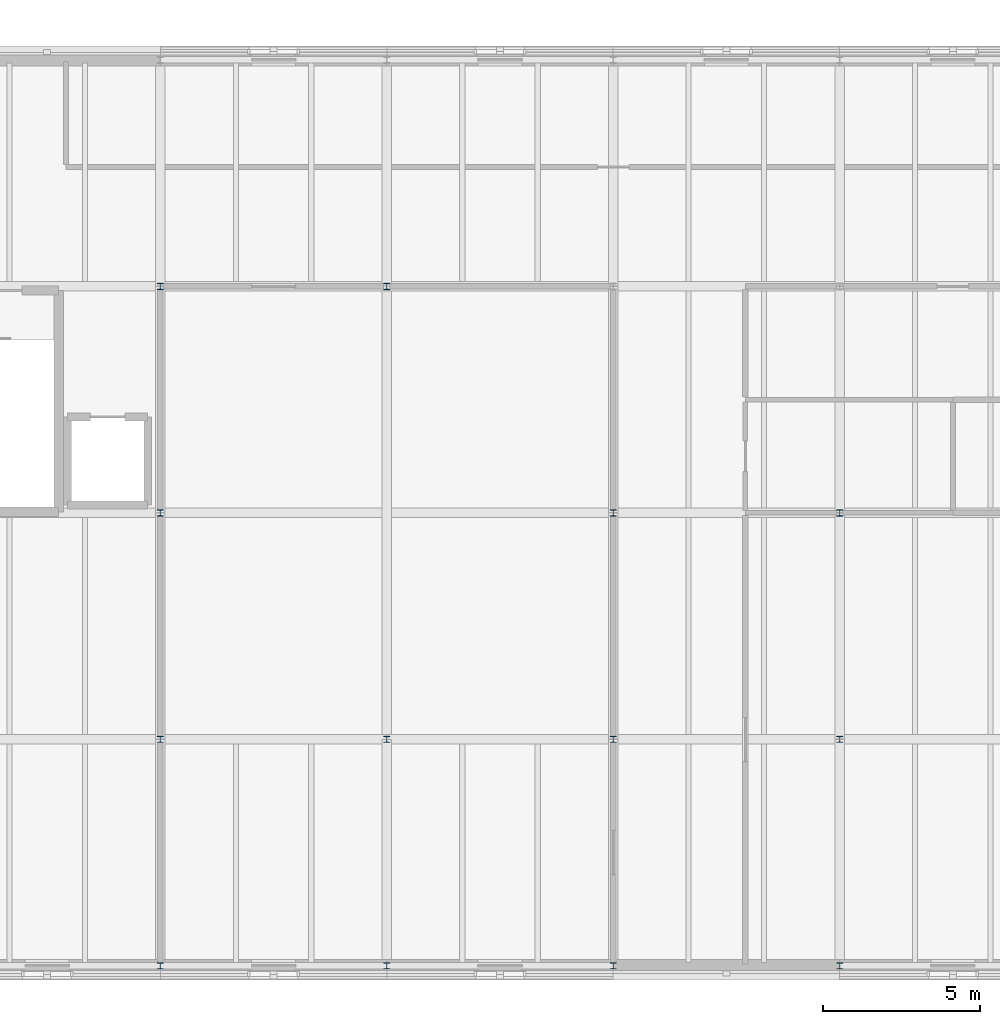
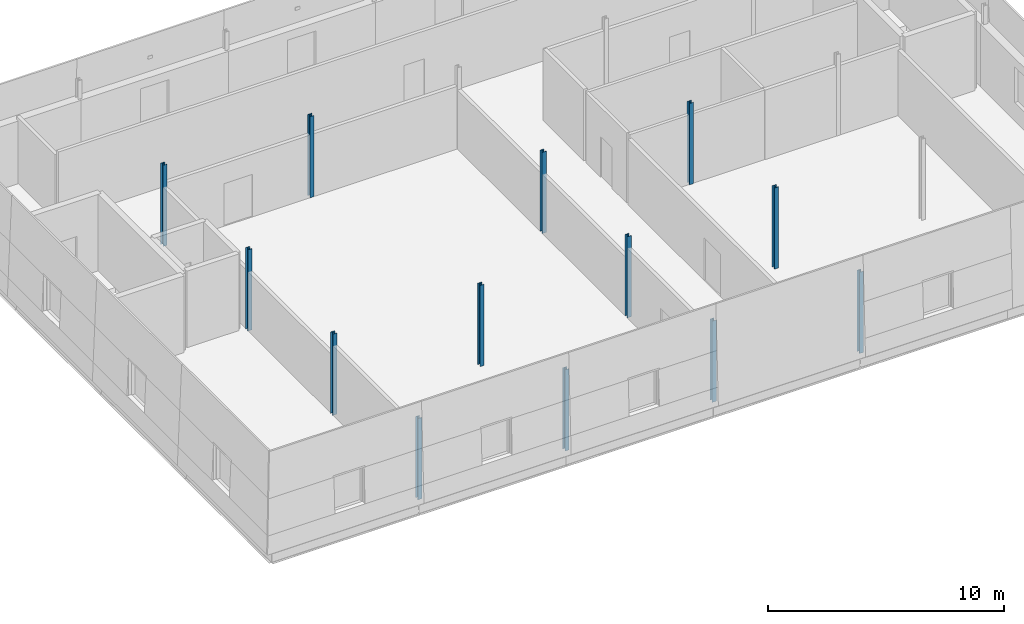
# One storey, part 10 of 91: 13 columns.
"""IFC4 building model written with IfcOpenShell, lengths in metres."""

from ifc_helpers import new_model, si_unit, direction, frame, origin, origin_2d, place, context, subcontext, project, spatial, i_section, extrude, material, material_profile, profile_set, type_object, element, save


model = new_model("IFC4")

# Units and contexts
model_context = context("Model", 3, precision=1e-05, world=origin(), true_north=direction((0.0, 1.0)))
body_context = subcontext(model_context, "Body", "Model", "MODEL_VIEW")
ifc_project = project(units=[si_unit("LENGTHUNIT", "METRE"), si_unit("AREAUNIT", "SQUARE_METRE"), si_unit("VOLUMEUNIT", "CUBIC_METRE"), si_unit("PLANEANGLEUNIT", "RADIAN"), si_unit("MASSUNIT", "GRAM", prefix="KILO")], contexts=[model_context])

# Site, building, storey
site_placement = place(None, origin())
site = spatial("IfcSite", under=ifc_project, at=site_placement, CompositionType="ELEMENT")
building_placement = place(site_placement, origin())
building = spatial("IfcBuilding", under=site, at=building_placement, Name="Narikvali Park Central Library", CompositionType="ELEMENT")
storey_placement = place(building_placement, frame((0.0, 0.0, 14.39990234375)))
storey = spatial("IfcBuildingStorey", under=building, at=storey_placement, Name="L03", CompositionType="ELEMENT", Elevation=14.39990234375)

# Columns
ifc_material = material(Name="Steel S355", Category="steel")
ifc_material_profile = material_profile(ifc_material, i_section(OverallWidth=0.199951171875, OverallDepth=0.199951171875, WebThickness=0.009033203125, FlangeThickness=0.014892578125, FilletRadius=0.01806640625, at=origin_2d()), Name="HEB 200")
ifc_profile_set = profile_set([ifc_material_profile], Name="Steel S355")
column_type = type_object("IfcColumnType", Name="Steel Column HEB200", PredefinedType="COLUMN", material=ifc_profile_set)
for number, where, z_axis, x_axis, name in (
    (1, (129.60009765625, 0.0, 0.0), (0.0, 0.0, 1.0), (1.0, 0.0, 0.0), "V6 L03 Column (129.6,0.0)"),
    (2, (129.60009765625, 7.199951171875, 0.0), (0.0, 0.0, 1.0), (1.0, 0.0, 0.0), "V6 L03 Column (129.6,7.2)"),
    (3, (129.60009765625, 14.39990234375, 0.0), (0.0, 0.0, 1.0), (1.0, 0.0, 0.0), "V6 L03 Column (129.6,14.4)"),
    (4, (129.60009765625, 21.60009765625, 0.0), (0.0, 0.0, 1.0), (1.0, 0.0, 0.0), "V6 L03 Column (129.6,21.6)"),
    (5, (136.800048828125, 0.0, 0.0), (0.0, 0.0, 1.0), (1.0, 0.0, 0.0), "V6 L03 Column (136.8,0.0)"),
    (6, (136.800048828125, 7.199951171875, 0.0), (0.0, 0.0, 1.0), (1.0, 0.0, 0.0), "V6 L03 Column (136.8,7.2)"),
    (7, (136.800048828125, 21.60009765625, 0.0), (0.0, 0.0, 1.0), (1.0, 0.0, 0.0), "V6 L03 Column (136.8,21.6)"),
    (8, (144.0, 0.0, 0.0), (0.0, 0.0, 1.0), (1.0, 0.0, 0.0), "V6 L03 Column (144.0,0.0)"),
    (9, (144.0, 7.199951171875, 0.0), (0.0, 0.0, 1.0), (1.0, 0.0, 0.0), "V6 L03 Column (144.0,7.2)"),
    (10, (144.0, 14.39990234375, 0.0), (0.0, 0.0, 1.0), (1.0, 0.0, 0.0), "V6 L03 Column (144.0,14.4)"),
    (11, (151.199951171875, 0.0, 0.0), (0.0, 0.0, 1.0), (1.0, 0.0, 0.0), "V6 L03 Column (151.2,0.0)"),
    (12, (151.199951171875, 7.199951171875, 0.0), (0.0, 0.0, 1.0), (1.0, 0.0, 0.0), "V6 L03 Column (151.2,7.2)"),
    (13, (151.199951171875, 14.39990234375, 0.0), (0.0, 0.0, 1.0), (1.0, 0.0, 0.0), "V6 L03 Column (151.2,14.4)"),
):
    element("IfcColumn", number, at=place(storey_placement, frame(where, z_axis=z_axis, x_axis=x_axis)), inside=storey, type_object=column_type, Name=name, PredefinedType="COLUMN", context=body_context, shape_type="SweptSolid", body=[
        extrude(i_section(OverallWidth=0.199951171875, OverallDepth=0.199951171875, WebThickness=0.009033203125, FlangeThickness=0.014892578125, FilletRadius=0.01806640625, at=origin_2d()), origin(), (0.0, 0.0, 1.0), 4.2001953125),
    ])

save(model, "model.ifc")
